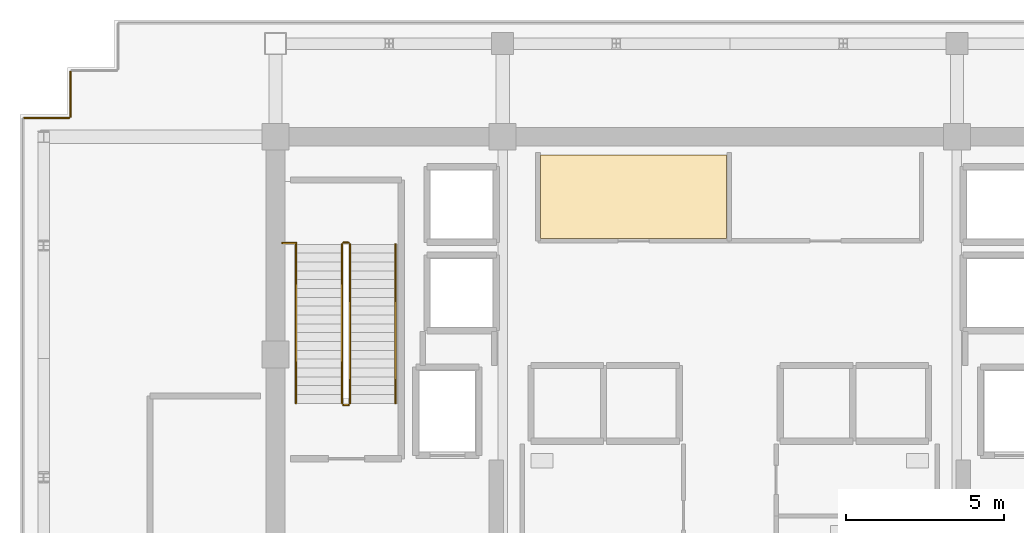
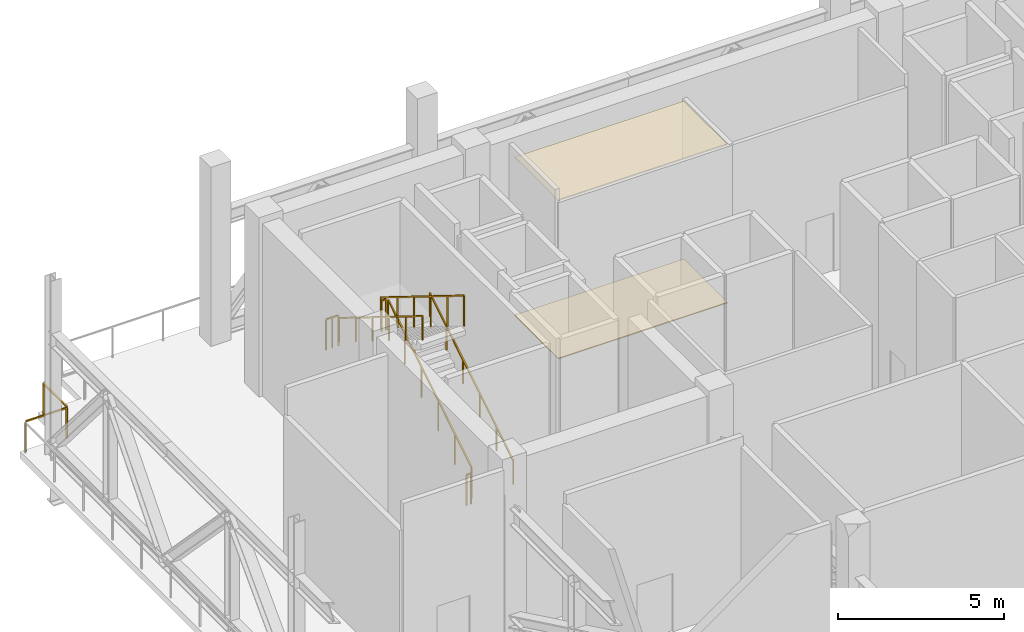
# One storey, part 8 of 11: 9 railings, 2 coverings.
"""IFC4 building model written with IfcOpenShell, lengths in metres."""

import ifcopenshell
import ifcopenshell.guid

model = None  # the IFC model being written
_history = None  # IfcOwnerHistory: only IFC2X3 demands one
_inside = {}  # id of a spatial element -> (the spatial element, [elements in it])
_under = {}  # id of a project, library or spatial element -> (it, [spatial elements below it])
_declared = {}  # id of a project -> (the project, [libraries it declares])
_typed = {}  # id of a type object -> (the type object, [elements of that type])
_made_of = {}  # id of a material, layer set ... -> (it, [elements and type objects made of it])


def new_model(schema):
    """Start an empty IFC model of exactly this schema.

    Asked for "IFC4X3", IfcOpenShell would pick the latest addendum, in which some entities
    have other attributes; the version numbers below select the first issue.
    IFC2X3 requires an IfcOwnerHistory on every rooted entity: one is made here for all.
    """
    global model, _history
    if schema == "IFC4X3":
        model = ifcopenshell.file(schema_version=(4, 3, 0, 0))
    else:
        model = ifcopenshell.file(schema=schema)
    _inside.clear()
    _under.clear()
    _declared.clear()
    _typed.clear()
    _made_of.clear()
    _history = None
    if model.schema == "IFC2X3":
        org = make("IfcOrganization", Name="unknown")
        user = make(
            "IfcPersonAndOrganization",
            ThePerson=make("IfcPerson", FamilyName="unknown"),
            TheOrganization=org,
        )
        app = make(
            "IfcApplication",
            ApplicationDeveloper=org,
            Version="unknown",
            ApplicationFullName="unknown",
            ApplicationIdentifier="unknown",
        )
        _history = make(
            "IfcOwnerHistory",
            OwningUser=user,
            OwningApplication=app,
            ChangeAction="ADDED",
            CreationDate=0,
        )
    return model


def make(cls, **values):
    """One entity of the class cls with the attributes given. An attribute that is None is left unset."""
    return model.create_entity(
        cls, **{name: value for name, value in values.items() if value is not None}
    )


def rooted(cls, **values):
    """An entity with a GlobalId (a new one), such as an element, a storey or a relation."""
    return make(cls, GlobalId=ifcopenshell.guid.new(), OwnerHistory=_history, **values)


def si_unit(unit_type, name, prefix=None):
    """IfcSIUnit, for example si_unit("LENGTHUNIT", "METRE", prefix="MILLI")."""
    return make("IfcSIUnit", UnitType=unit_type, Prefix=prefix, Name=name)


def assignment(units):
    """IfcUnitAssignment: the units of a project."""
    return None if units is None else make("IfcUnitAssignment", Units=units)


def point(xyz):
    """IfcCartesianPoint."""
    return None if xyz is None else make("IfcCartesianPoint", Coordinates=xyz)


def direction(xyz):
    """IfcDirection."""
    return None if xyz is None else make("IfcDirection", DirectionRatios=xyz)


def frame(location, z_axis=None, x_axis=None):
    """IfcAxis2Placement3D, a coordinate frame: its origin and axes. An axis left out is left unset."""
    return make(
        "IfcAxis2Placement3D",
        Location=point(location),
        Axis=direction(z_axis),
        RefDirection=direction(x_axis),
    )


def frame_2d(location, x_axis=None):
    """IfcAxis2Placement2D, a coordinate frame in the plane: its origin and x axis."""
    return make(
        "IfcAxis2Placement2D", Location=point(location), RefDirection=direction(x_axis)
    )


def origin():
    """The frame at (0, 0, 0) with its axes left unset."""
    return frame((0.0, 0.0, 0.0))


def origin_2d():
    """The frame at (0, 0) in the plane with its x axis left unset."""
    return frame_2d((0.0, 0.0))


def place(relative_to, where):
    """IfcLocalPlacement: puts the frame where relative to a parent placement (None: the world)."""
    return make(
        "IfcLocalPlacement", PlacementRelTo=relative_to, RelativePlacement=where
    )


def context(
    kind, dimensions, precision=None, world=None, true_north=None, identifier=None
):
    """IfcGeometricRepresentationContext, for example the 3D "Model" context."""
    return make(
        "IfcGeometricRepresentationContext",
        ContextIdentifier=identifier,
        ContextType=kind,
        CoordinateSpaceDimension=dimensions,
        Precision=precision,
        WorldCoordinateSystem=world,
        TrueNorth=true_north,
    )


def subcontext(parent, identifier, kind, view, scale=None):
    """IfcGeometricRepresentationSubContext, for example "Body" below "Model"."""
    return make(
        "IfcGeometricRepresentationSubContext",
        ContextIdentifier=identifier,
        ContextType=kind,
        ParentContext=parent,
        TargetScale=scale,
        TargetView=view,
    )


def project(units=None, contexts=None):
    """IfcProject with its units and contexts."""
    return rooted(
        "IfcProject",
        Name="project",
        RepresentationContexts=contexts,
        UnitsInContext=assignment(units),
    )


def spatial(cls, under=None, at=None, **own):
    """A site, building, storey or space (cls), placed at a placement, below another one or the project."""
    s = rooted(cls, ObjectPlacement=at, **own)
    if under is not None:
        _under.setdefault(under.id(), (under, []))[1].append(s)
    return s


def polyline(points):
    """IfcPolyline through the points."""
    return make("IfcPolyline", Points=[point(p) for p in points])


def profile(cls, at=None, kind="AREA", **sizes):
    """A parametric profile (cls). Its sizes go by their IFC names, for example OverallWidth=200.0."""
    return make(cls, ProfileType=kind, Position=at, **sizes)


def rectangle(**sizes):
    """IfcRectangleProfileDef."""
    return profile("IfcRectangleProfileDef", **sizes)


def outline(outer, holes=None, kind="AREA"):
    """IfcArbitraryClosedProfileDef: a profile drawn as a closed curve; with holes, ...WithVoids."""
    if holes is None:
        return make("IfcArbitraryClosedProfileDef", ProfileType=kind, OuterCurve=outer)
    return make(
        "IfcArbitraryProfileDefWithVoids",
        ProfileType=kind,
        OuterCurve=outer,
        InnerCurves=holes,
    )


def extrude(swept, where, along, depth):
    """IfcExtrudedAreaSolid: the profile swept, set in the frame where, extruded along a direction by depth."""
    return make(
        "IfcExtrudedAreaSolid",
        SweptArea=swept,
        Position=where,
        ExtrudedDirection=direction(along),
        Depth=depth,
    )


def shape(context_of_items, identifier, shape_type, items):
    """IfcShapeRepresentation: the items that make up one representation, for example the "Body"."""
    return make(
        "IfcShapeRepresentation",
        ContextOfItems=context_of_items,
        RepresentationIdentifier=identifier,
        RepresentationType=shape_type,
        Items=items,
    )


def material(Name=None, Category=None):
    """IfcMaterial."""
    return make("IfcMaterial", Name=Name, Category=Category)


def layer(
    of_material, thickness, ventilated=None, Name=None, Category=None, Priority=None
):
    """IfcMaterialLayer: one layer of a wall or slab, of a material (None: an air gap)."""
    return make(
        "IfcMaterialLayer",
        Material=of_material,
        LayerThickness=thickness,
        IsVentilated=ventilated,
        Name=Name,
        Category=Category,
        Priority=Priority,
    )


def layer_set(layers, Name=None):
    """IfcMaterialLayerSet."""
    return make("IfcMaterialLayerSet", MaterialLayers=layers, LayerSetName=Name)


def made_of(thing, what):
    """Note that an element or type object is made of a material, layer set ...; save() writes the relation."""
    if what is not None:
        _made_of.setdefault(what.id(), (what, []))[1].append(thing)
    return thing


def type_object(cls, material=None, **own):
    """A type object (cls), such as IfcWallType, which elements share."""
    return made_of(rooted(cls, **own), material)


def element(
    cls,
    number,
    at=None,
    inside=None,
    cuts=None,
    type_object=None,
    material=None,
    context=None,
    identifier="Body",
    shape_type=None,
    held_by="IfcProductDefinitionShape",
    body=None,
    shapes=None,
    **own,
):
    """One element of the class cls, such as IfcWall. Its Tag is "e" and its number.

    at: its placement. inside: the storey or other place that contains it. cuts: it is an
    opening in that element (IfcRelVoidsElement). A single representation is given by context,
    identifier, shape_type and body (its items); several are given by shapes. held_by: the class
    of the entity that holds the representations. save() writes the other relations.
    """
    e = rooted(cls, Tag="e%d" % number, ObjectPlacement=at, **own)
    if body is not None:
        shapes = [shape(context, identifier, shape_type, body)]
    if shapes is not None:
        e.Representation = make(held_by, Representations=shapes)
    if inside is not None:
        _inside.setdefault(inside.id(), (inside, []))[1].append(e)
    if cuts is not None:
        rooted(
            "IfcRelVoidsElement", RelatingBuildingElement=cuts, RelatedOpeningElement=e
        )
    if type_object is not None:
        _typed.setdefault(type_object.id(), (type_object, []))[1].append(e)
    return made_of(e, material)


def aggregate(whole, parts):
    """IfcRelAggregates: a whole, such as a stair, and the parts it consists of."""
    return rooted("IfcRelAggregates", RelatingObject=whole, RelatedObjects=parts)


def save(model, path):
    """Write the relations noted so far, then the file.

    IfcRelAggregates (storeys below a building ...), IfcRelContainedInSpatialStructure (elements
    in a storey), IfcRelDefinesByType, IfcRelAssociatesMaterial and IfcRelDeclares: one each for
    every whole, place, type object, material and project.
    """
    for whole, parts in _under.values():
        aggregate(whole, parts)
    for where, things in _inside.values():
        rooted(
            "IfcRelContainedInSpatialStructure",
            RelatedElements=things,
            RelatingStructure=where,
        )
    for kind, things in _typed.values():
        rooted("IfcRelDefinesByType", RelatedObjects=things, RelatingType=kind)
    for what, things in _made_of.values():
        rooted("IfcRelAssociatesMaterial", RelatedObjects=things, RelatingMaterial=what)
    for by, libraries in _declared.values():
        rooted("IfcRelDeclares", RelatingContext=by, RelatedDefinitions=libraries)
    model.write(path)


model = new_model("IFC4")

# Units and contexts
model_context = context("Model", 3, precision=1e-05, world=origin(), true_north=direction((0.0, 1.0)))
body_context = subcontext(model_context, "Body", "Model", "MODEL_VIEW")
ifc_project = project(units=[si_unit("LENGTHUNIT", "METRE"), si_unit("AREAUNIT", "SQUARE_METRE"), si_unit("VOLUMEUNIT", "CUBIC_METRE"), si_unit("PLANEANGLEUNIT", "RADIAN"), si_unit("MASSUNIT", "GRAM", prefix="KILO")], contexts=[model_context])

# Site, building, storey
site_placement = place(None, origin())
site = spatial("IfcSite", under=ifc_project, at=site_placement, CompositionType="ELEMENT")
building_placement = place(site_placement, origin())
building = spatial("IfcBuilding", under=site, at=building_placement, Name="Zarnakvel Exchange Tower", CompositionType="ELEMENT")
storey_placement = place(building_placement, frame((0.0, 0.0, 199.0)))
storey = spatial("IfcBuildingStorey", under=building, at=storey_placement, Name="L56", CompositionType="ELEMENT", Elevation=199.0)

# Coverings
ifc_material_1 = material(Name="Perforated Bronze Acoustic Metal Ceiling", Category="aluminium")
ifc_layer_1 = layer(ifc_material_1, 0.02001953125)
ifc_layer_set_1 = layer_set([ifc_layer_1], Name="Perforated Bronze Acoustic Metal Ceiling")
covering_type_1 = type_object("IfcCoveringType", Name="CLG-01", PredefinedType="CEILING", material=ifc_layer_set_1)
covering_1_placement = place(storey_placement, frame((0.0, 0.0, 5.830078125)))
element("IfcCovering", 1, at=covering_1_placement, inside=storey, type_object=covering_type_1, Name="L56 Suspended Acoustic Ceiling (Settlement Records Suite)", PredefinedType="CEILING", context=body_context, shape_type="SweptSolid", body=[
    extrude(outline(polyline([(-6.0, 12.919921875), (-0.10009765625, 12.919921875), (-0.10009765625, 10.280029296875), (-6.0, 10.280029296875), (-6.0, 12.919921875)])), origin(), (0.0, 0.0, 1.0), 0.02001953125),
])
ifc_material_2 = material(Name="Heavy-Duty Raised Access Floor Panel", Category="steel")
ifc_layer_2 = layer(ifc_material_2, 0.034912109375)
ifc_layer_set_2 = layer_set([ifc_layer_2], Name="Heavy-Duty Raised Access Floor Panel")
covering_type_2 = type_object("IfcCoveringType", Name="FLR-02", PredefinedType="FLOORING", material=ifc_layer_set_2)
covering_2_placement = place(storey_placement, origin())
element("IfcCovering", 2, at=covering_2_placement, inside=storey, type_object=covering_type_2, Name="L56 Floor Finish (Settlement Records Suite)", PredefinedType="FLOORING", context=body_context, shape_type="SweptSolid", body=[
    extrude(outline(polyline([(-6.0, 12.919921875), (-0.10009765625, 12.919921875), (-0.10009765625, 10.280029296875), (-6.0, 10.280029296875), (-6.0, 12.919921875)])), origin(), (0.0, 0.0, 1.0), 0.034912109375),
])

# Railings
ifc_material_3 = material(Name="Architectural Bronze Anodised Aluminium", Category="aluminium")
railing_type_1 = type_object("IfcRailingType", Name="GR-01", PredefinedType="GUARDRAIL", material=ifc_material_3)
railing_1_placement = place(storey_placement, frame((-22.360107421875, 14.10009765625, 0.0)))
element("IfcRailing", 3, at=railing_1_placement, inside=storey, type_object=railing_type_1, Name="L56 Perimeter Guardrail GR-L56-PERIM-02 (GR-01)", PredefinedType="GUARDRAIL", context=body_context, shape_type="SweptSolid", body=[
    extrude(rectangle(XDim=0.048095703125, YDim=0.048095703125, at=origin_2d()), frame((0.0, 0.0, 1.1259765625), z_axis=(1.0, 0.0, 0.0), x_axis=(0.0, 1.0, 0.0)), (0.0, 0.0, 1.0), 1.420166015625),
    extrude(rectangle(XDim=0.0419921875, YDim=0.0419921875, at=origin_2d()), origin(), (0.0, 0.0, 1.0), 1.101806640625),
    extrude(rectangle(XDim=0.0419921875, YDim=0.0419921875, at=origin_2d()), frame((1.420166015625, 0.0, 0.0)), (0.0, 0.0, 1.0), 1.101806640625),
])
railing_2_placement = place(storey_placement, frame((-20.89990234375, 14.139892578125, 0.0)))
element("IfcRailing", 4, at=railing_2_placement, inside=storey, type_object=railing_type_1, Name="L56 Perimeter Guardrail GR-L56-PERIM-03 (GR-01)", PredefinedType="GUARDRAIL", context=body_context, shape_type="SweptSolid", body=[
    extrude(rectangle(XDim=0.048095703125, YDim=0.048095703125, at=origin_2d()), frame((0.0, 0.0, 1.1259765625), z_axis=(0.0, 1.0, 0.0), x_axis=(-1.0, 0.0, 0.0)), (0.0, 0.0, 1.0), 1.420166015625),
    extrude(rectangle(XDim=0.0419921875, YDim=0.0419921875, at=origin_2d()), origin(), (0.0, 0.0, 1.0), 1.101806640625),
    extrude(rectangle(XDim=0.0419921875, YDim=0.0419921875, at=origin_2d()), frame((0.0, 1.420166015625, 0.0)), (0.0, 0.0, 1.0), 1.101806640625),
])
ifc_material_4 = material(Name="Brushed Stainless Steel", Category="steel")
railing_type_2 = type_object("IfcRailingType", Name="HR-01", PredefinedType="HANDRAIL", material=ifc_material_4)
railing_3_placement = place(storey_placement, frame((-10.590087890625, 5.050048828125, 0.173583984375)))
element("IfcRailing", 5, at=railing_3_placement, inside=storey, type_object=railing_type_2, Name="L56 ST-01 stair handrail 1", PredefinedType="HANDRAIL", context=body_context, shape_type="SweptSolid", body=[
    extrude(rectangle(XDim=0.048095703125, YDim=0.048095703125, at=origin_2d()), frame((0.0, 0.0, 0.8759765625), z_axis=(0.0, 0.849778785312, 0.527139465448), x_axis=(-1.0, 0.0, 0.0)), (0.0, 0.0, 1.0), 5.930908203125),
    extrude(rectangle(XDim=0.0419921875, YDim=0.0419921875, at=origin_2d()), origin(), (0.0, 0.0, 1.0), 0.851806640625),
    extrude(rectangle(XDim=0.0419921875, YDim=0.0419921875, at=origin_2d()), frame((0.0, 1.008056640625, 0.625244140625)), (0.0, 0.0, 1.0), 0.851806640625),
    extrude(rectangle(XDim=0.0419921875, YDim=0.0419921875, at=origin_2d()), frame((0.0, 2.01611328125, 1.25048828125)), (0.0, 0.0, 1.0), 0.851806640625),
    extrude(rectangle(XDim=0.0419921875, YDim=0.0419921875, at=origin_2d()), frame((0.0, 3.02392578125, 1.8759765625)), (0.0, 0.0, 1.0), 0.851806640625),
    extrude(rectangle(XDim=0.0419921875, YDim=0.0419921875, at=origin_2d()), frame((0.0, 4.031982421875, 2.501220703125)), (0.0, 0.0, 1.0), 0.851806640625),
    extrude(rectangle(XDim=0.0419921875, YDim=0.0419921875, at=origin_2d()), frame((0.0, 5.0400390625, 3.12646484375)), (0.0, 0.0, 1.0), 0.851806640625),
])
railing_4_placement = place(storey_placement, frame((-13.75, 10.090087890625, 3.4736328125)))
element("IfcRailing", 6, at=railing_4_placement, inside=storey, type_object=railing_type_2, Name="L56 ST-01 stair handrail 2", PredefinedType="HANDRAIL", context=body_context, shape_type="SweptSolid", body=[
    extrude(rectangle(XDim=0.048095703125, YDim=0.048095703125, at=origin_2d()), frame((0.0, 0.0, 0.8759765625), z_axis=(0.0, -0.849778785312, 0.527139465448), x_axis=(1.0, 0.0, 0.0)), (0.0, 0.0, 1.0), 5.930908203125),
    extrude(rectangle(XDim=0.0419921875, YDim=0.0419921875, at=origin_2d()), origin(), (0.0, 0.0, 1.0), 0.851806640625),
    extrude(rectangle(XDim=0.0419921875, YDim=0.0419921875, at=origin_2d()), frame((0.0, -1.008056640625, 0.625244140625)), (0.0, 0.0, 1.0), 0.851806640625),
    extrude(rectangle(XDim=0.0419921875, YDim=0.0419921875, at=origin_2d()), frame((0.0, -2.01611328125, 1.25048828125)), (0.0, 0.0, 1.0), 0.851806640625),
    extrude(rectangle(XDim=0.0419921875, YDim=0.0419921875, at=origin_2d()), frame((0.0, -3.02392578125, 1.8759765625)), (0.0, 0.0, 1.0), 0.851806640625),
    extrude(rectangle(XDim=0.0419921875, YDim=0.0419921875, at=origin_2d()), frame((0.0, -4.031982421875, 2.501220703125)), (0.0, 0.0, 1.0), 0.851806640625),
    extrude(rectangle(XDim=0.0419921875, YDim=0.0419921875, at=origin_2d()), frame((0.0, -5.0400390625, 3.12646484375)), (0.0, 0.0, 1.0), 0.851806640625),
])
railing_type_3 = type_object("IfcRailingType", Name="SG-01", PredefinedType="GUARDRAIL", material=ifc_material_3)
railing_5_placement = place(storey_placement, frame((-12.0400390625, 5.050048828125, 0.173583984375)))
element("IfcRailing", 7, at=railing_5_placement, inside=storey, type_object=railing_type_3, Name="L56 ST-01 stair guard 1", PredefinedType="GUARDRAIL", context=body_context, shape_type="SweptSolid", body=[
    extrude(rectangle(XDim=0.048095703125, YDim=0.048095703125, at=origin_2d()), frame((0.0, 0.0, 1.1259765625), z_axis=(0.0, 0.849778785312, 0.527139465448), x_axis=(-1.0, 0.0, 0.0)), (0.0, 0.0, 1.0), 5.930908203125),
    extrude(rectangle(XDim=0.0419921875, YDim=0.0419921875, at=origin_2d()), origin(), (0.0, 0.0, 1.0), 1.101806640625),
    extrude(rectangle(XDim=0.0419921875, YDim=0.0419921875, at=origin_2d()), frame((0.0, 1.008056640625, 0.625244140625)), (0.0, 0.0, 1.0), 1.101806640625),
    extrude(rectangle(XDim=0.0419921875, YDim=0.0419921875, at=origin_2d()), frame((0.0, 2.01611328125, 1.25048828125)), (0.0, 0.0, 1.0), 1.101806640625),
    extrude(rectangle(XDim=0.0419921875, YDim=0.0419921875, at=origin_2d()), frame((0.0, 3.02392578125, 1.8759765625)), (0.0, 0.0, 1.0), 1.101806640625),
    extrude(rectangle(XDim=0.0419921875, YDim=0.0419921875, at=origin_2d()), frame((0.0, 4.031982421875, 2.501220703125)), (0.0, 0.0, 1.0), 1.101806640625),
    extrude(rectangle(XDim=0.0419921875, YDim=0.0419921875, at=origin_2d()), frame((0.0, 5.0400390625, 3.12646484375)), (0.0, 0.0, 1.0), 1.101806640625),
])
railing_6_placement = place(storey_placement, frame((-12.090087890625, 10.139892578125, 3.300048828125)))
element("IfcRailing", 8, at=railing_6_placement, inside=storey, type_object=railing_type_3, Name="L56 ST-01 stair guard 2", PredefinedType="GUARDRAIL", context=body_context, shape_type="SweptSolid", body=[
    extrude(rectangle(XDim=0.048095703125, YDim=0.048095703125, at=origin_2d()), frame((0.0, 0.0, 1.1259765625), z_axis=(-1.0, 0.0, 0.0), x_axis=(0.0, -1.0, 0.0)), (0.0, 0.0, 1.0), 0.159912109375),
    extrude(rectangle(XDim=0.0419921875, YDim=0.0419921875, at=origin_2d()), origin(), (0.0, 0.0, 1.0), 1.101806640625),
    extrude(rectangle(XDim=0.0419921875, YDim=0.0419921875, at=origin_2d()), frame((-0.159912109375, 0.0, 0.0)), (0.0, 0.0, 1.0), 1.101806640625),
])
railing_7_placement = place(storey_placement, frame((-12.300048828125, 10.090087890625, 3.4736328125)))
element("IfcRailing", 9, at=railing_7_placement, inside=storey, type_object=railing_type_3, Name="L56 ST-01 stair guard 3", PredefinedType="GUARDRAIL", context=body_context, shape_type="SweptSolid", body=[
    extrude(rectangle(XDim=0.048095703125, YDim=0.048095703125, at=origin_2d()), frame((0.0, 0.0, 1.1259765625), z_axis=(0.0, -0.849778785312, 0.527139465448), x_axis=(1.0, 0.0, 0.0)), (0.0, 0.0, 1.0), 5.930908203125),
    extrude(rectangle(XDim=0.0419921875, YDim=0.0419921875, at=origin_2d()), origin(), (0.0, 0.0, 1.0), 1.101806640625),
    extrude(rectangle(XDim=0.0419921875, YDim=0.0419921875, at=origin_2d()), frame((0.0, -1.008056640625, 0.625244140625)), (0.0, 0.0, 1.0), 1.101806640625),
    extrude(rectangle(XDim=0.0419921875, YDim=0.0419921875, at=origin_2d()), frame((0.0, -2.01611328125, 1.25048828125)), (0.0, 0.0, 1.0), 1.101806640625),
    extrude(rectangle(XDim=0.0419921875, YDim=0.0419921875, at=origin_2d()), frame((0.0, -3.02392578125, 1.8759765625)), (0.0, 0.0, 1.0), 1.101806640625),
    extrude(rectangle(XDim=0.0419921875, YDim=0.0419921875, at=origin_2d()), frame((0.0, -4.031982421875, 2.501220703125)), (0.0, 0.0, 1.0), 1.101806640625),
    extrude(rectangle(XDim=0.0419921875, YDim=0.0419921875, at=origin_2d()), frame((0.0, -5.0400390625, 3.12646484375)), (0.0, 0.0, 1.0), 1.101806640625),
])
railing_8_placement = place(storey_placement, frame((-12.090087890625, 5.0, 0.0)))
element("IfcRailing", 10, at=railing_8_placement, inside=storey, type_object=railing_type_3, Name="L56 ST-01 stair guard 4", PredefinedType="GUARDRAIL", context=body_context, shape_type="SweptSolid", body=[
    extrude(rectangle(XDim=0.048095703125, YDim=0.048095703125, at=origin_2d()), frame((0.0, 0.0, 1.1259765625), z_axis=(-1.0, 0.0, 0.0), x_axis=(0.0, -1.0, 0.0)), (0.0, 0.0, 1.0), 0.159912109375),
    extrude(rectangle(XDim=0.0419921875, YDim=0.0419921875, at=origin_2d()), origin(), (0.0, 0.0, 1.0), 1.101806640625),
    extrude(rectangle(XDim=0.0419921875, YDim=0.0419921875, at=origin_2d()), frame((-0.159912109375, 0.0, 0.0)), (0.0, 0.0, 1.0), 1.101806640625),
])
railing_9_placement = place(storey_placement, frame((-14.179931640625, 10.1298828125, 3.300048828125)))
element("IfcRailing", 11, at=railing_9_placement, inside=storey, type_object=railing_type_3, Name="L56 ST-01 Landing Slot Guardrail", PredefinedType="GUARDRAIL", context=body_context, shape_type="SweptSolid", body=[
    extrude(rectangle(XDim=0.048095703125, YDim=0.048095703125, at=origin_2d()), frame((0.0, 0.0, 1.1259765625), z_axis=(1.0, 0.0, 0.0), x_axis=(0.0, 1.0, 0.0)), (0.0, 0.0, 1.0), 0.429931640625),
    extrude(rectangle(XDim=0.0419921875, YDim=0.0419921875, at=origin_2d()), origin(), (0.0, 0.0, 1.0), 1.101806640625),
    extrude(rectangle(XDim=0.0419921875, YDim=0.0419921875, at=origin_2d()), frame((0.21484375, 0.0, 0.0)), (0.0, 0.0, 1.0), 1.101806640625),
    extrude(rectangle(XDim=0.0419921875, YDim=0.0419921875, at=origin_2d()), frame((0.429931640625, 0.0, 0.0)), (0.0, 0.0, 1.0), 1.101806640625),
])

save(model, "model.ifc")
